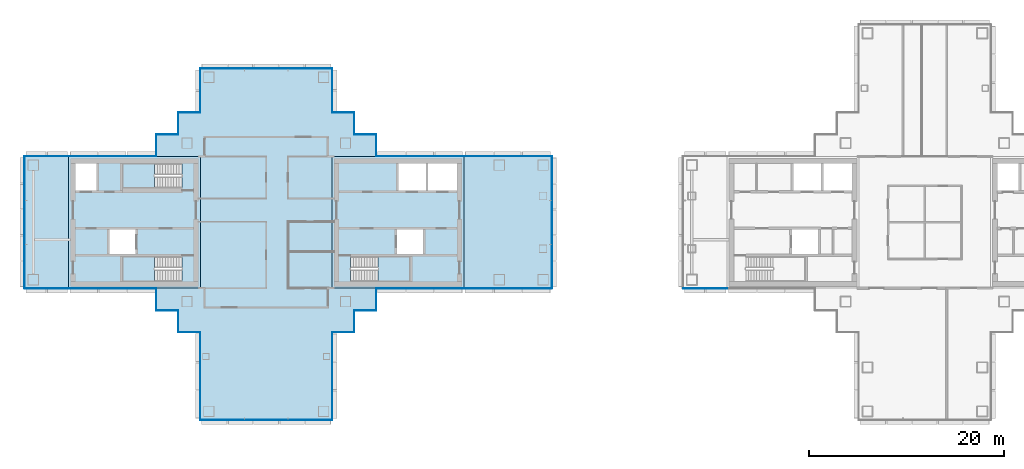
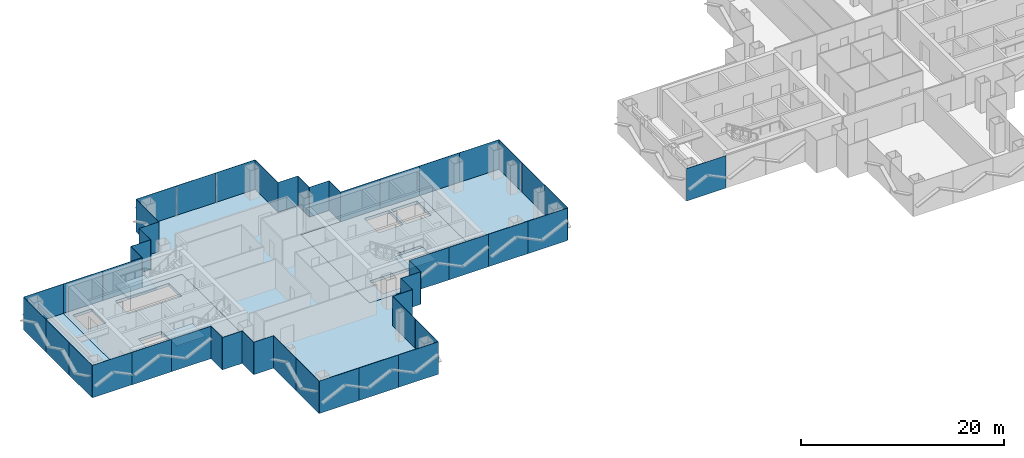
# One storey, part 7 of 16: 49 plates, 8 slabs, 24 elements without a shape of their own.
"""IFC4 building model written with IfcOpenShell, lengths in metres."""

from ifc_helpers import new_model, si_unit, direction, frame, origin, origin_2d, place, context, subcontext, project, spatial, polyline, rectangle, outline, extrude, material, layer, layer_set, type_object, element, aggregate, save


model = new_model("IFC4")

# Units and contexts
model_context = context("Model", 3, precision=1e-05, world=origin(), true_north=direction((0.0, 1.0)))
body_context = subcontext(model_context, "Body", "Model", "MODEL_VIEW")
ifc_project = project(units=[si_unit("LENGTHUNIT", "METRE"), si_unit("AREAUNIT", "SQUARE_METRE"), si_unit("VOLUMEUNIT", "CUBIC_METRE"), si_unit("PLANEANGLEUNIT", "RADIAN"), si_unit("MASSUNIT", "GRAM", prefix="KILO")], contexts=[model_context])

# Site, building, storey
site_placement = place(None, origin())
site = spatial("IfcSite", under=ifc_project, at=site_placement, CompositionType="ELEMENT")
building_placement = place(site_placement, origin())
building = spatial("IfcBuilding", under=site, at=building_placement, Name="Shamsa Quay Exchange Towers", CompositionType="ELEMENT")
storey_placement = place(building_placement, frame((0.0, 0.0, 146.699951171875)))
storey = spatial("IfcBuildingStorey", under=building, at=storey_placement, Name="L34", CompositionType="ELEMENT", Elevation=146.699951171875)

# Slabs
ifc_material_1 = material(Name="Concrete C50/60", Category="concrete")
ifc_layer_1 = layer(ifc_material_1, 0.35009765625)
ifc_layer_set_1 = layer_set([ifc_layer_1], Name="CORE FLOOR 350 C50/60")
slab_type_1 = type_object("IfcSlabType", Name="CORE FLOOR 350 C50/60", PredefinedType="FLOOR", material=ifc_layer_set_1)
slab_1_placement = place(storey_placement, frame((0.0, 0.0, -0.349853515625)))
element("IfcSlab", 1, at=slab_1_placement, inside=storey, type_object=slab_type_1, Name="Core floor T1A", PredefinedType="FLOOR", context=body_context, shape_type="SweptSolid", body=[
    extrude(outline(polyline([(-27.0, -6.75), (-13.5, -6.75), (-13.5, 6.75), (-27.0, 6.75), (-27.0, -6.75)]), holes=[polyline([(-25.099365234375, -6.050048828125), (-25.099365234375, -3.5), (-19.0, -3.5), (-19.0, -6.050048828125), (-25.099365234375, -6.050048828125)]), polyline([(-20.199951171875, 3.25), (-20.199951171875, 6.050048828125), (-17.39990234375, 6.050048828125), (-17.39990234375, 3.25), (-20.199951171875, 3.25)]), polyline([(-17.14990234375, 3.25), (-17.14990234375, 6.050048828125), (-14.199951171875, 6.050048828125), (-14.199951171875, 3.25), (-17.14990234375, 3.25)]), polyline([(-20.35009765625, -3.25), (-20.35009765625, -0.75), (-17.699951171875, -0.75), (-17.699951171875, -3.25), (-20.35009765625, -3.25)])]), origin(), (0.0, 0.0, 1.0), 0.349853515625),
])
slab_2_placement = place(storey_placement, frame((0.0, 0.0, -0.349853515625)))
element("IfcSlab", 2, at=slab_2_placement, inside=storey, type_object=slab_type_1, Name="Core floor T1B", PredefinedType="FLOOR", context=body_context, shape_type="SweptSolid", body=[
    extrude(outline(polyline([(-40.5, -6.75), (-40.5, 6.75), (-54.0, 6.75), (-54.0, -6.75), (-40.5, -6.75)]), holes=[polyline([(-42.400634765625, -3.5), (-42.400634765625, -6.050048828125), (-48.5, -6.050048828125), (-48.5, -3.5), (-42.400634765625, -3.5)]), polyline([(-42.400634765625, 6.050048828125), (-42.400634765625, 3.5), (-48.5, 3.5), (-48.5, 6.050048828125), (-42.400634765625, 6.050048828125)]), polyline([(-51.14990234375, 3.25), (-53.300048828125, 3.25), (-53.300048828125, 6.050048828125), (-51.14990234375, 6.050048828125), (-51.14990234375, 3.25)]), polyline([(-47.14990234375, -3.25), (-49.800048828125, -3.25), (-49.800048828125, -0.75), (-47.14990234375, -0.75), (-47.14990234375, -3.25)])]), origin(), (0.0, 0.0, 1.0), 0.349853515625),
])

# Stair, slab
ifc_material_2 = material(Name="Concrete C40/50", Category="concrete")
stair_type = type_object("IfcStairType", Name="EXIT STAIR 22 RISERS 177 MM", PredefinedType="HALF_TURN_STAIR", material=ifc_material_2)
stair_1_placement = place(storey_placement, origin())
stair_1 = element("IfcStair", 3, at=stair_1_placement, inside=storey, type_object=stair_type, Name="L34 Exit stair ST1", PredefinedType="HALF_TURN_STAIR")
ifc_layer_2 = layer(ifc_material_2, 0.199951171875)
ifc_layer_set_2 = layer_set([ifc_layer_2], Name="CORE STAIR LANDING")
slab_type_2 = type_object("IfcSlabType", Name="CORE STAIR LANDING", PredefinedType="LANDING", material=ifc_layer_set_2)
slab_3_placement = place(storey_placement, frame((0.0, 0.0, 1.75)))
slab_3 = element("IfcSlab", 4, at=slab_3_placement, type_object=slab_type_2, Name="ST1 landing 1", PredefinedType="LANDING", context=body_context, shape_type="SweptSolid", body=[
    extrude(outline(polyline([(-22.300048828125, -6.050048828125), (-19.0, -6.050048828125), (-19.0, -3.5), (-22.300048828125, -3.5), (-22.300048828125, -6.050048828125)])), origin(), (0.0, 0.0, 1.0), 0.199951171875),
])
aggregate(stair_1, [slab_3])

stair_2_placement = place(storey_placement, origin())
stair_2 = element("IfcStair", 5, at=stair_2_placement, inside=storey, type_object=stair_type, Name="L34 Exit stair ST2", PredefinedType="HALF_TURN_STAIR")
slab_4_placement = place(storey_placement, frame((0.0, 0.0, 1.75)))
slab_4 = element("IfcSlab", 6, at=slab_4_placement, type_object=slab_type_2, Name="ST2 landing 1", PredefinedType="LANDING", context=body_context, shape_type="SweptSolid", body=[
    extrude(outline(polyline([(-45.199951171875, -3.5), (-48.5, -3.5), (-48.5, -6.050048828125), (-45.199951171875, -6.050048828125), (-45.199951171875, -3.5)])), origin(), (0.0, 0.0, 1.0), 0.199951171875),
])
aggregate(stair_2, [slab_4])

stair_3_placement = place(storey_placement, origin())
stair_3 = element("IfcStair", 7, at=stair_3_placement, inside=storey, type_object=stair_type, Name="L34 Exit stair ST3", PredefinedType="HALF_TURN_STAIR")
slab_5_placement = place(storey_placement, frame((0.0, 0.0, 1.75)))
slab_5 = element("IfcSlab", 8, at=slab_5_placement, type_object=slab_type_2, Name="ST3 landing 1", PredefinedType="LANDING", context=body_context, shape_type="SweptSolid", body=[
    extrude(outline(polyline([(-45.199951171875, 6.050048828125), (-48.5, 6.050048828125), (-48.5, 3.5), (-45.199951171875, 3.5), (-45.199951171875, 6.050048828125)])), origin(), (0.0, 0.0, 1.0), 0.199951171875),
])
aggregate(stair_3, [slab_5])

# Curtain wall, plates
ifc_material_3 = material(Name="Aluminium EN AW-6063 T6, black anodised", Category="aluminium")
ifc_layer_3 = layer(ifc_material_3, 0.280029296875)
ifc_layer_set_3 = layer_set([ifc_layer_3], Name="CW-1 UNITISED VISION GLASS")
curtain_wall_type_1 = type_object("IfcCurtainWallType", Name="CW-1 UNITISED VISION GLASS", PredefinedType="NOTDEFINED", material=ifc_layer_set_3)
curtain_wall_1_placement = place(storey_placement, origin())
curtain_wall_1 = element("IfcCurtainWall", 9, at=curtain_wall_1_placement, inside=storey, type_object=curtain_wall_type_1, Name="CW1 T1-FLK-V-W L34", PredefinedType="NOTDEFINED")
ifc_material_4 = material(Name="Glass, laminated, dark tinted", Category="glass")
ifc_layer_4 = layer(ifc_material_4, 0.0400390625)
ifc_layer_set_4 = layer_set([ifc_layer_4], Name="CW-1 VISION GLASS 40")
plate_type_1 = type_object("IfcPlateType", Name="CW-1 VISION GLASS 40", PredefinedType="CURTAIN_PANEL", material=ifc_layer_set_4)
plate_1_placement = place(storey_placement, frame((-40.52001953125, -13.52587890625, -0.349853515625), z_axis=(0.0, 0.0, 1.0), x_axis=(0.0, -1.0, 0.0)))
plate_1 = element("IfcPlate", 10, at=plate_1_placement, type_object=plate_type_1, Name="CW1 glass panel", PredefinedType="CURTAIN_PANEL", context=body_context, shape_type="SweptSolid", body=[
    extrude(rectangle(XDim=4.47607421875, YDim=0.0400390625, at=origin_2d()), origin(), (0.0, 0.0, 1.0), 3.89990234375),
])
plate_2_placement = place(storey_placement, frame((-40.52001953125, -18.011962890625, -0.349853515625), z_axis=(0.0, 0.0, 1.0), x_axis=(0.0, -1.0, 0.0)))
plate_2 = element("IfcPlate", 11, at=plate_2_placement, type_object=plate_type_1, Name="CW1 glass panel", PredefinedType="CURTAIN_PANEL", context=body_context, shape_type="SweptSolid", body=[
    extrude(rectangle(XDim=4.47607421875, YDim=0.0400390625, at=origin_2d()), origin(), (0.0, 0.0, 1.0), 3.89990234375),
])
aggregate(curtain_wall_1, [plate_1, plate_2])

curtain_wall_2_placement = place(storey_placement, origin())
curtain_wall_2 = element("IfcCurtainWall", 12, at=curtain_wall_2_placement, inside=storey, type_object=curtain_wall_type_1, Name="CW1 T1-END-V- L34", PredefinedType="NOTDEFINED")
plate_3_placement = place(storey_placement, frame((-38.25244140625, -20.27001953125, -0.349853515625)))
plate_3 = element("IfcPlate", 13, at=plate_3_placement, type_object=plate_type_1, Name="CW1 glass panel", PredefinedType="CURTAIN_PANEL", context=body_context, shape_type="SweptSolid", body=[
    extrude(rectangle(XDim=4.4951171875, YDim=0.0400390625, at=origin_2d()), origin(), (0.0, 0.0, 1.0), 3.89990234375),
])
plate_4_placement = place(storey_placement, frame((-33.75, -20.27001953125, -0.349853515625)))
plate_4 = element("IfcPlate", 14, at=plate_4_placement, type_object=plate_type_1, Name="CW1 glass panel", PredefinedType="CURTAIN_PANEL", context=body_context, shape_type="SweptSolid", body=[
    extrude(rectangle(XDim=4.489990234375, YDim=0.0400390625, at=origin_2d()), origin(), (0.0, 0.0, 1.0), 3.89990234375),
])
plate_5_placement = place(storey_placement, frame((-29.24755859375, -20.27001953125, -0.349853515625)))
plate_5 = element("IfcPlate", 15, at=plate_5_placement, type_object=plate_type_1, Name="CW1 glass panel", PredefinedType="CURTAIN_PANEL", context=body_context, shape_type="SweptSolid", body=[
    extrude(rectangle(XDim=4.4951171875, YDim=0.0400390625, at=origin_2d()), origin(), (0.0, 0.0, 1.0), 3.89990234375),
])
aggregate(curtain_wall_2, [plate_3, plate_4, plate_5])

curtain_wall_3_placement = place(storey_placement, origin())
curtain_wall_3 = element("IfcCurtainWall", 16, at=curtain_wall_3_placement, inside=storey, type_object=curtain_wall_type_1, Name="CW1 T1-FLK-V-E L34", PredefinedType="NOTDEFINED")
plate_6_placement = place(storey_placement, frame((-26.97998046875, -18.00244140625, -0.349853515625), z_axis=(0.0, 0.0, 1.0), x_axis=(0.0, 1.0, 0.0)))
plate_6 = element("IfcPlate", 17, at=plate_6_placement, type_object=plate_type_1, Name="CW1 glass panel", PredefinedType="CURTAIN_PANEL", context=body_context, shape_type="SweptSolid", body=[
    extrude(rectangle(XDim=4.4951171875, YDim=0.0400390625, at=origin_2d()), origin(), (0.0, 0.0, 1.0), 3.89990234375),
])
plate_7_placement = place(storey_placement, frame((-26.97998046875, -13.49755859375, -0.349853515625), z_axis=(0.0, 0.0, 1.0), x_axis=(0.0, 1.0, 0.0)))
plate_7 = element("IfcPlate", 18, at=plate_7_placement, type_object=plate_type_1, Name="CW1 glass panel", PredefinedType="CURTAIN_PANEL", context=body_context, shape_type="SweptSolid", body=[
    extrude(rectangle(XDim=4.4951171875, YDim=0.0400390625, at=origin_2d()), origin(), (0.0, 0.0, 1.0), 3.89990234375),
])
aggregate(curtain_wall_3, [plate_6, plate_7])

curtain_wall_4_placement = place(storey_placement, origin())
curtain_wall_4 = element("IfcCurtainWall", 19, at=curtain_wall_4_placement, inside=storey, type_object=curtain_wall_type_1, Name="CW1 T1-FLK-U+S L34", PredefinedType="NOTDEFINED")
plate_8_placement = place(storey_placement, frame((-11.25244140625, -6.77001953125, -0.349853515625)))
plate_8 = element("IfcPlate", 20, at=plate_8_placement, type_object=plate_type_1, Name="CW1 glass panel", PredefinedType="CURTAIN_PANEL", context=body_context, shape_type="SweptSolid", body=[
    extrude(rectangle(XDim=4.4951171875, YDim=0.0400390625, at=origin_2d()), origin(), (0.0, 0.0, 1.0), 3.89990234375),
])
plate_9_placement = place(storey_placement, frame((-6.74755859375, -6.77001953125, -0.349853515625)))
plate_9 = element("IfcPlate", 21, at=plate_9_placement, type_object=plate_type_1, Name="CW1 glass panel", PredefinedType="CURTAIN_PANEL", context=body_context, shape_type="SweptSolid", body=[
    extrude(rectangle(XDim=4.4951171875, YDim=0.0400390625, at=origin_2d()), origin(), (0.0, 0.0, 1.0), 3.89990234375),
])
aggregate(curtain_wall_4, [plate_8, plate_9])

curtain_wall_5_placement = place(storey_placement, origin())
curtain_wall_5 = element("IfcCurtainWall", 22, at=curtain_wall_5_placement, inside=storey, type_object=curtain_wall_type_1, Name="CW1 T1-END-U+ L34", PredefinedType="NOTDEFINED")
plate_10_placement = place(storey_placement, frame((-4.47998046875, -4.50244140625, -0.349853515625), z_axis=(0.0, 0.0, 1.0), x_axis=(0.0, 1.0, 0.0)))
plate_10 = element("IfcPlate", 23, at=plate_10_placement, type_object=plate_type_1, Name="CW1 glass panel", PredefinedType="CURTAIN_PANEL", context=body_context, shape_type="SweptSolid", body=[
    extrude(rectangle(XDim=4.4951171875, YDim=0.0400390625, at=origin_2d()), origin(), (0.0, 0.0, 1.0), 3.89990234375),
])
plate_11_placement = place(storey_placement, frame((-4.47998046875, 0.0, -0.349853515625), z_axis=(0.0, 0.0, 1.0), x_axis=(0.0, 1.0, 0.0)))
plate_11 = element("IfcPlate", 24, at=plate_11_placement, type_object=plate_type_1, Name="CW1 glass panel", PredefinedType="CURTAIN_PANEL", context=body_context, shape_type="SweptSolid", body=[
    extrude(rectangle(XDim=4.489990234375, YDim=0.0400390625, at=origin_2d()), origin(), (0.0, 0.0, 1.0), 3.89990234375),
])
plate_12_placement = place(storey_placement, frame((-4.47998046875, 4.50244140625, -0.349853515625), z_axis=(0.0, 0.0, 1.0), x_axis=(0.0, 1.0, 0.0)))
plate_12 = element("IfcPlate", 25, at=plate_12_placement, type_object=plate_type_1, Name="CW1 glass panel", PredefinedType="CURTAIN_PANEL", context=body_context, shape_type="SweptSolid", body=[
    extrude(rectangle(XDim=4.4951171875, YDim=0.0400390625, at=origin_2d()), origin(), (0.0, 0.0, 1.0), 3.89990234375),
])
aggregate(curtain_wall_5, [plate_10, plate_11, plate_12])

curtain_wall_6_placement = place(storey_placement, origin())
curtain_wall_6 = element("IfcCurtainWall", 26, at=curtain_wall_6_placement, inside=storey, type_object=curtain_wall_type_1, Name="CW1 T1-FLK-U+N L34", PredefinedType="NOTDEFINED")
plate_13_placement = place(storey_placement, frame((-6.74755859375, 6.77001953125, -0.349853515625), z_axis=(0.0, 0.0, 1.0), x_axis=(-1.0, 0.0, 0.0)))
plate_13 = element("IfcPlate", 27, at=plate_13_placement, type_object=plate_type_1, Name="CW1 glass panel", PredefinedType="CURTAIN_PANEL", context=body_context, shape_type="SweptSolid", body=[
    extrude(rectangle(XDim=4.4951171875, YDim=0.0400390625, at=origin_2d()), origin(), (0.0, 0.0, 1.0), 3.89990234375),
])
plate_14_placement = place(storey_placement, frame((-11.25244140625, 6.77001953125, -0.349853515625), z_axis=(0.0, 0.0, 1.0), x_axis=(-1.0, 0.0, 0.0)))
plate_14 = element("IfcPlate", 28, at=plate_14_placement, type_object=plate_type_1, Name="CW1 glass panel", PredefinedType="CURTAIN_PANEL", context=body_context, shape_type="SweptSolid", body=[
    extrude(rectangle(XDim=4.4951171875, YDim=0.0400390625, at=origin_2d()), origin(), (0.0, 0.0, 1.0), 3.89990234375),
])
aggregate(curtain_wall_6, [plate_13, plate_14])

# Curtain wall, plate
curtain_wall_7_placement = place(storey_placement, origin())
curtain_wall_7 = element("IfcCurtainWall", 29, at=curtain_wall_7_placement, inside=storey, type_object=curtain_wall_type_1, Name="CW1 T1-FLK-V+E L34", PredefinedType="NOTDEFINED")
plate_15_placement = place(storey_placement, frame((-26.97998046875, 13.51904296875, -0.349853515625), z_axis=(0.0, 0.0, 1.0), x_axis=(0.0, 1.0, 0.0)))
plate_15 = element("IfcPlate", 30, at=plate_15_placement, type_object=plate_type_1, Name="CW1 glass panel", PredefinedType="CURTAIN_PANEL", context=body_context, shape_type="SweptSolid", body=[
    extrude(rectangle(XDim=4.4619140625, YDim=0.0400390625, at=origin_2d()), origin(), (0.0, 0.0, 1.0), 3.89990234375),
])
aggregate(curtain_wall_7, [plate_15])

# Curtain wall, plates
curtain_wall_8_placement = place(storey_placement, origin())
curtain_wall_8 = element("IfcCurtainWall", 31, at=curtain_wall_8_placement, inside=storey, type_object=curtain_wall_type_1, Name="CW1 T1-END-V+ L34", PredefinedType="NOTDEFINED")
plate_16_placement = place(storey_placement, frame((-29.24755859375, 15.77001953125, -0.349853515625), z_axis=(0.0, 0.0, 1.0), x_axis=(-1.0, 0.0, 0.0)))
plate_16 = element("IfcPlate", 32, at=plate_16_placement, type_object=plate_type_1, Name="CW1 glass panel", PredefinedType="CURTAIN_PANEL", context=body_context, shape_type="SweptSolid", body=[
    extrude(rectangle(XDim=4.4951171875, YDim=0.0400390625, at=origin_2d()), origin(), (0.0, 0.0, 1.0), 3.89990234375),
])
plate_17_placement = place(storey_placement, frame((-33.75, 15.77001953125, -0.349853515625), z_axis=(0.0, 0.0, 1.0), x_axis=(-1.0, 0.0, 0.0)))
plate_17 = element("IfcPlate", 33, at=plate_17_placement, type_object=plate_type_1, Name="CW1 glass panel", PredefinedType="CURTAIN_PANEL", context=body_context, shape_type="SweptSolid", body=[
    extrude(rectangle(XDim=4.489990234375, YDim=0.0400390625, at=origin_2d()), origin(), (0.0, 0.0, 1.0), 3.89990234375),
])
plate_18_placement = place(storey_placement, frame((-38.25244140625, 15.77001953125, -0.349853515625), z_axis=(0.0, 0.0, 1.0), x_axis=(-1.0, 0.0, 0.0)))
plate_18 = element("IfcPlate", 34, at=plate_18_placement, type_object=plate_type_1, Name="CW1 glass panel", PredefinedType="CURTAIN_PANEL", context=body_context, shape_type="SweptSolid", body=[
    extrude(rectangle(XDim=4.4951171875, YDim=0.0400390625, at=origin_2d()), origin(), (0.0, 0.0, 1.0), 3.89990234375),
])
aggregate(curtain_wall_8, [plate_16, plate_17, plate_18])

# Curtain wall, plate
curtain_wall_9_placement = place(storey_placement, origin())
curtain_wall_9 = element("IfcCurtainWall", 35, at=curtain_wall_9_placement, inside=storey, type_object=curtain_wall_type_1, Name="CW1 T1-FLK-V+W L34", PredefinedType="NOTDEFINED")
plate_19_placement = place(storey_placement, frame((-40.52001953125, 13.5, -0.349853515625), z_axis=(0.0, 0.0, 1.0), x_axis=(0.0, -1.0, 0.0)))
plate_19 = element("IfcPlate", 36, at=plate_19_placement, type_object=plate_type_1, Name="CW1 glass panel", PredefinedType="CURTAIN_PANEL", context=body_context, shape_type="SweptSolid", body=[
    extrude(rectangle(XDim=4.5, YDim=0.0400390625, at=origin_2d()), origin(), (0.0, 0.0, 1.0), 3.89990234375),
])
aggregate(curtain_wall_9, [plate_19])

curtain_wall_10_placement = place(storey_placement, origin())
curtain_wall_10 = element("IfcCurtainWall", 37, at=curtain_wall_10_placement, inside=storey, type_object=curtain_wall_type_1, Name="CW1 T1-FLK-U-N L34", PredefinedType="NOTDEFINED")
plate_20_placement = place(storey_placement, frame((-56.25, 6.77001953125, -0.349853515625), z_axis=(0.0, 0.0, 1.0), x_axis=(-1.0, 0.0, 0.0)))
plate_20 = element("IfcPlate", 38, at=plate_20_placement, type_object=plate_type_1, Name="CW1 glass panel", PredefinedType="CURTAIN_PANEL", context=body_context, shape_type="SweptSolid", body=[
    extrude(rectangle(XDim=4.5, YDim=0.0400390625, at=origin_2d()), origin(), (0.0, 0.0, 1.0), 3.89990234375),
])
aggregate(curtain_wall_10, [plate_20])

# Curtain wall, plates
curtain_wall_11_placement = place(storey_placement, origin())
curtain_wall_11 = element("IfcCurtainWall", 39, at=curtain_wall_11_placement, inside=storey, type_object=curtain_wall_type_1, Name="CW1 T1-END-U- L34", PredefinedType="NOTDEFINED")
plate_21_placement = place(storey_placement, frame((-58.52001953125, 4.50244140625, -0.349853515625), z_axis=(0.0, 0.0, 1.0), x_axis=(0.0, -1.0, 0.0)))
plate_21 = element("IfcPlate", 40, at=plate_21_placement, type_object=plate_type_1, Name="CW1 glass panel", PredefinedType="CURTAIN_PANEL", context=body_context, shape_type="SweptSolid", body=[
    extrude(rectangle(XDim=4.4951171875, YDim=0.0400390625, at=origin_2d()), origin(), (0.0, 0.0, 1.0), 3.89990234375),
])
plate_22_placement = place(storey_placement, frame((-58.52001953125, 0.0, -0.349853515625), z_axis=(0.0, 0.0, 1.0), x_axis=(0.0, -1.0, 0.0)))
plate_22 = element("IfcPlate", 41, at=plate_22_placement, type_object=plate_type_1, Name="CW1 glass panel", PredefinedType="CURTAIN_PANEL", context=body_context, shape_type="SweptSolid", body=[
    extrude(rectangle(XDim=4.489990234375, YDim=0.0400390625, at=origin_2d()), origin(), (0.0, 0.0, 1.0), 3.89990234375),
])
plate_23_placement = place(storey_placement, frame((-58.52001953125, -4.50244140625, -0.349853515625), z_axis=(0.0, 0.0, 1.0), x_axis=(0.0, -1.0, 0.0)))
plate_23 = element("IfcPlate", 42, at=plate_23_placement, type_object=plate_type_1, Name="CW1 glass panel", PredefinedType="CURTAIN_PANEL", context=body_context, shape_type="SweptSolid", body=[
    extrude(rectangle(XDim=4.4951171875, YDim=0.0400390625, at=origin_2d()), origin(), (0.0, 0.0, 1.0), 3.89990234375),
])
aggregate(curtain_wall_11, [plate_21, plate_22, plate_23])

# Curtain wall, plate
curtain_wall_12_placement = place(storey_placement, origin())
curtain_wall_12 = element("IfcCurtainWall", 43, at=curtain_wall_12_placement, inside=storey, type_object=curtain_wall_type_1, Name="CW1 T1-FLK-U-S L34", PredefinedType="NOTDEFINED")
plate_24_placement = place(storey_placement, frame((-56.25, -6.77001953125, -0.349853515625)))
plate_24 = element("IfcPlate", 44, at=plate_24_placement, type_object=plate_type_1, Name="CW1 glass panel", PredefinedType="CURTAIN_PANEL", context=body_context, shape_type="SweptSolid", body=[
    extrude(rectangle(XDim=4.5, YDim=0.0400390625, at=origin_2d()), origin(), (0.0, 0.0, 1.0), 3.89990234375),
])
aggregate(curtain_wall_12, [plate_24])

curtain_wall_13_placement = place(storey_placement, origin())
curtain_wall_13 = element("IfcCurtainWall", 45, at=curtain_wall_13_placement, inside=storey, type_object=curtain_wall_type_1, Name="CW1 T2-FLK-V+W L34", PredefinedType="NOTDEFINED")
plate_25_placement = place(storey_placement, frame((11.25, -6.77001953125, -0.349853515625)))
plate_25 = element("IfcPlate", 46, at=plate_25_placement, type_object=plate_type_1, Name="CW1 glass panel", PredefinedType="CURTAIN_PANEL", context=body_context, shape_type="SweptSolid", body=[
    extrude(rectangle(XDim=4.5, YDim=0.0400390625, at=origin_2d()), origin(), (0.0, 0.0, 1.0), 3.89990234375),
])
aggregate(curtain_wall_13, [plate_25])

# Curtain wall, plates
ifc_layer_5 = layer(ifc_material_3, 0.303955078125)
ifc_layer_set_5 = layer_set([ifc_layer_5], Name="CW-2 UNITISED OPAQUE SPANDREL GLASS")
curtain_wall_type_2 = type_object("IfcCurtainWallType", Name="CW-2 UNITISED OPAQUE SPANDREL GLASS", PredefinedType="NOTDEFINED", material=ifc_layer_set_5)
curtain_wall_14_placement = place(storey_placement, origin())
curtain_wall_14 = element("IfcCurtainWall", 47, at=curtain_wall_14_placement, inside=storey, type_object=curtain_wall_type_2, Name="CW2 T1-FLK-U+S L34", PredefinedType="NOTDEFINED")
ifc_material_5 = material(Name="Glass, laminated, black enamelled opaque", Category="glass")
ifc_layer_6 = layer(ifc_material_5, 0.0439453125)
ifc_layer_set_6 = layer_set([ifc_layer_6], Name="CW-2 SPANDREL GLASS 44")
plate_type_2 = type_object("IfcPlateType", Name="CW-2 SPANDREL GLASS 44", PredefinedType="CURTAIN_PANEL", material=ifc_layer_set_6)
plate_26_placement = place(storey_placement, frame((-20.22412109375, -6.77197265625, -0.349853515625)))
plate_26 = element("IfcPlate", 48, at=plate_26_placement, type_object=plate_type_2, Name="CW2 glass panel", PredefinedType="CURTAIN_PANEL", context=body_context, shape_type="SweptSolid", body=[
    extrude(rectangle(XDim=4.47607421875, YDim=0.0439453125, at=origin_2d()), origin(), (0.0, 0.0, 1.0), 3.89990234375),
])
plate_27_placement = place(storey_placement, frame((-15.738037109375, -6.77197265625, -0.349853515625)))
plate_27 = element("IfcPlate", 49, at=plate_27_placement, type_object=plate_type_2, Name="CW2 glass panel", PredefinedType="CURTAIN_PANEL", context=body_context, shape_type="SweptSolid", body=[
    extrude(rectangle(XDim=4.47607421875, YDim=0.0439453125, at=origin_2d()), origin(), (0.0, 0.0, 1.0), 3.89990234375),
])
aggregate(curtain_wall_14, [plate_26, plate_27])

curtain_wall_15_placement = place(storey_placement, origin())
curtain_wall_15 = element("IfcCurtainWall", 50, at=curtain_wall_15_placement, inside=storey, type_object=curtain_wall_type_2, Name="CW2 T1-FLK-U+N L34", PredefinedType="NOTDEFINED")
plate_28_placement = place(storey_placement, frame((-15.74755859375, 6.77197265625, -0.349853515625), z_axis=(0.0, 0.0, 1.0), x_axis=(-1.0, 0.0, 0.0)))
plate_28 = element("IfcPlate", 51, at=plate_28_placement, type_object=plate_type_2, Name="CW2 glass panel", PredefinedType="CURTAIN_PANEL", context=body_context, shape_type="SweptSolid", body=[
    extrude(rectangle(XDim=4.4951171875, YDim=0.0439453125, at=origin_2d()), origin(), (0.0, 0.0, 1.0), 3.89990234375),
])
plate_29_placement = place(storey_placement, frame((-20.25244140625, 6.77197265625, -0.349853515625), z_axis=(0.0, 0.0, 1.0), x_axis=(-1.0, 0.0, 0.0)))
plate_29 = element("IfcPlate", 52, at=plate_29_placement, type_object=plate_type_2, Name="CW2 glass panel", PredefinedType="CURTAIN_PANEL", context=body_context, shape_type="SweptSolid", body=[
    extrude(rectangle(XDim=4.4951171875, YDim=0.0439453125, at=origin_2d()), origin(), (0.0, 0.0, 1.0), 3.89990234375),
])
aggregate(curtain_wall_15, [plate_28, plate_29])

curtain_wall_16_placement = place(storey_placement, origin())
curtain_wall_16 = element("IfcCurtainWall", 53, at=curtain_wall_16_placement, inside=storey, type_object=curtain_wall_type_2, Name="CW2 T1-FLK-U-N L34", PredefinedType="NOTDEFINED")
plate_30_placement = place(storey_placement, frame((-47.27587890625, 6.77197265625, -0.349853515625), z_axis=(0.0, 0.0, 1.0), x_axis=(-1.0, 0.0, 0.0)))
plate_30 = element("IfcPlate", 54, at=plate_30_placement, type_object=plate_type_2, Name="CW2 glass panel", PredefinedType="CURTAIN_PANEL", context=body_context, shape_type="SweptSolid", body=[
    extrude(rectangle(XDim=4.47607421875, YDim=0.0439453125, at=origin_2d()), origin(), (0.0, 0.0, 1.0), 3.89990234375),
])
plate_31_placement = place(storey_placement, frame((-51.761962890625, 6.77197265625, -0.349853515625), z_axis=(0.0, 0.0, 1.0), x_axis=(-1.0, 0.0, 0.0)))
plate_31 = element("IfcPlate", 55, at=plate_31_placement, type_object=plate_type_2, Name="CW2 glass panel", PredefinedType="CURTAIN_PANEL", context=body_context, shape_type="SweptSolid", body=[
    extrude(rectangle(XDim=4.47607421875, YDim=0.0439453125, at=origin_2d()), origin(), (0.0, 0.0, 1.0), 3.89990234375),
])
aggregate(curtain_wall_16, [plate_30, plate_31])

curtain_wall_17_placement = place(storey_placement, origin())
curtain_wall_17 = element("IfcCurtainWall", 56, at=curtain_wall_17_placement, inside=storey, type_object=curtain_wall_type_2, Name="CW2 T1-FLK-U-S L34", PredefinedType="NOTDEFINED")
plate_32_placement = place(storey_placement, frame((-51.75244140625, -6.77197265625, -0.349853515625)))
plate_32 = element("IfcPlate", 57, at=plate_32_placement, type_object=plate_type_2, Name="CW2 glass panel", PredefinedType="CURTAIN_PANEL", context=body_context, shape_type="SweptSolid", body=[
    extrude(rectangle(XDim=4.4951171875, YDim=0.0439453125, at=origin_2d()), origin(), (0.0, 0.0, 1.0), 3.89990234375),
])
plate_33_placement = place(storey_placement, frame((-47.24755859375, -6.77197265625, -0.349853515625)))
plate_33 = element("IfcPlate", 58, at=plate_33_placement, type_object=plate_type_2, Name="CW2 glass panel", PredefinedType="CURTAIN_PANEL", context=body_context, shape_type="SweptSolid", body=[
    extrude(rectangle(XDim=4.4951171875, YDim=0.0439453125, at=origin_2d()), origin(), (0.0, 0.0, 1.0), 3.89990234375),
])
aggregate(curtain_wall_17, [plate_32, plate_33])

ifc_layer_7 = layer(ifc_material_3, 0.256103515625)
ifc_layer_set_7 = layer_set([ifc_layer_7], Name="CW-4 POCKET SERRATED GLAZING")
curtain_wall_type_3 = type_object("IfcCurtainWallType", Name="CW-4 POCKET SERRATED GLAZING", PredefinedType="NOTDEFINED", material=ifc_layer_set_7)
curtain_wall_18_placement = place(storey_placement, origin())
curtain_wall_18 = element("IfcCurtainWall", 59, at=curtain_wall_18_placement, inside=storey, type_object=curtain_wall_type_3, Name="CW4 PKWS L34", PredefinedType="NOTDEFINED")
ifc_layer_8 = layer(ifc_material_4, 0.035888671875)
ifc_layer_set_8 = layer_set([ifc_layer_8], Name="CW-4 POCKET GLASS 36")
plate_type_3 = type_object("IfcPlateType", Name="CW-4 POCKET GLASS 36", PredefinedType="CURTAIN_PANEL", material=ifc_layer_set_8)
plate_34_placement = place(storey_placement, frame((-42.76806640625, -10.14404296875, -0.349853515625), z_axis=(0.0, 0.0, 1.0), x_axis=(0.0, -1.0, 0.0)))
plate_34 = element("IfcPlate", 60, at=plate_34_placement, type_object=plate_type_3, Name="CW4 glass panel", PredefinedType="CURTAIN_PANEL", context=body_context, shape_type="SweptSolid", body=[
    extrude(rectangle(XDim=2.2119140625, YDim=0.035888671875, at=origin_2d()), origin(), (0.0, 0.0, 1.0), 3.89990234375),
])
plate_35_placement = place(storey_placement, frame((-41.625, -11.26806640625, -0.349853515625)))
plate_35 = element("IfcPlate", 61, at=plate_35_placement, type_object=plate_type_3, Name="CW4 glass panel", PredefinedType="CURTAIN_PANEL", context=body_context, shape_type="SweptSolid", body=[
    extrude(rectangle(XDim=2.25, YDim=0.035888671875, at=origin_2d()), origin(), (0.0, 0.0, 1.0), 3.89990234375),
])
plate_36_placement = place(storey_placement, frame((-45.01806640625, -7.89794921875, -0.349853515625), z_axis=(0.0, 0.0, 1.0), x_axis=(0.0, -1.0, 0.0)))
plate_36 = element("IfcPlate", 62, at=plate_36_placement, type_object=plate_type_3, Name="CW4 glass panel", PredefinedType="CURTAIN_PANEL", context=body_context, shape_type="SweptSolid", body=[
    extrude(rectangle(XDim=2.2041015625, YDim=0.035888671875, at=origin_2d()), origin(), (0.0, 0.0, 1.0), 3.89990234375),
])
plate_37_placement = place(storey_placement, frame((-43.875, -9.01806640625, -0.349853515625)))
plate_37 = element("IfcPlate", 63, at=plate_37_placement, type_object=plate_type_3, Name="CW4 glass panel", PredefinedType="CURTAIN_PANEL", context=body_context, shape_type="SweptSolid", body=[
    extrude(rectangle(XDim=2.25, YDim=0.035888671875, at=origin_2d()), origin(), (0.0, 0.0, 1.0), 3.89990234375),
])
aggregate(curtain_wall_18, [plate_34, plate_35, plate_36, plate_37])

curtain_wall_19_placement = place(storey_placement, origin())
curtain_wall_19 = element("IfcCurtainWall", 64, at=curtain_wall_19_placement, inside=storey, type_object=curtain_wall_type_3, Name="CW4 PKES L34", PredefinedType="NOTDEFINED")
plate_38_placement = place(storey_placement, frame((-25.85400390625, -11.26806640625, -0.349853515625)))
plate_38 = element("IfcPlate", 65, at=plate_38_placement, type_object=plate_type_3, Name="CW4 glass panel", PredefinedType="CURTAIN_PANEL", context=body_context, shape_type="SweptSolid", body=[
    extrude(rectangle(XDim=2.2080078125, YDim=0.035888671875, at=origin_2d()), origin(), (0.0, 0.0, 1.0), 3.89990234375),
])
plate_39_placement = place(storey_placement, frame((-24.73193359375, -10.125, -0.349853515625), z_axis=(0.0, 0.0, 1.0), x_axis=(0.0, 1.0, 0.0)))
plate_39 = element("IfcPlate", 66, at=plate_39_placement, type_object=plate_type_3, Name="CW4 glass panel", PredefinedType="CURTAIN_PANEL", context=body_context, shape_type="SweptSolid", body=[
    extrude(rectangle(XDim=2.25, YDim=0.035888671875, at=origin_2d()), origin(), (0.0, 0.0, 1.0), 3.89990234375),
])
plate_40_placement = place(storey_placement, frame((-23.60595703125, -9.01806640625, -0.349853515625)))
plate_40 = element("IfcPlate", 67, at=plate_40_placement, type_object=plate_type_3, Name="CW4 glass panel", PredefinedType="CURTAIN_PANEL", context=body_context, shape_type="SweptSolid", body=[
    extrude(rectangle(XDim=2.2119140625, YDim=0.035888671875, at=origin_2d()), origin(), (0.0, 0.0, 1.0), 3.89990234375),
])
plate_41_placement = place(storey_placement, frame((-22.48193359375, -7.875, -0.349853515625), z_axis=(0.0, 0.0, 1.0), x_axis=(0.0, 1.0, 0.0)))
plate_41 = element("IfcPlate", 68, at=plate_41_placement, type_object=plate_type_3, Name="CW4 glass panel", PredefinedType="CURTAIN_PANEL", context=body_context, shape_type="SweptSolid", body=[
    extrude(rectangle(XDim=2.25, YDim=0.035888671875, at=origin_2d()), origin(), (0.0, 0.0, 1.0), 3.89990234375),
])
aggregate(curtain_wall_19, [plate_38, plate_39, plate_40, plate_41])

curtain_wall_20_placement = place(storey_placement, origin())
curtain_wall_20 = element("IfcCurtainWall", 69, at=curtain_wall_20_placement, inside=storey, type_object=curtain_wall_type_3, Name="CW4 PKEN L34", PredefinedType="NOTDEFINED")
plate_42_placement = place(storey_placement, frame((-22.48193359375, 7.89794921875, -0.349853515625), z_axis=(0.0, 0.0, 1.0), x_axis=(0.0, 1.0, 0.0)))
plate_42 = element("IfcPlate", 70, at=plate_42_placement, type_object=plate_type_3, Name="CW4 glass panel", PredefinedType="CURTAIN_PANEL", context=body_context, shape_type="SweptSolid", body=[
    extrude(rectangle(XDim=2.2041015625, YDim=0.035888671875, at=origin_2d()), origin(), (0.0, 0.0, 1.0), 3.89990234375),
])
plate_43_placement = place(storey_placement, frame((-23.625, 9.01806640625, -0.349853515625), z_axis=(0.0, 0.0, 1.0), x_axis=(-1.0, 0.0, 0.0)))
plate_43 = element("IfcPlate", 71, at=plate_43_placement, type_object=plate_type_3, Name="CW4 glass panel", PredefinedType="CURTAIN_PANEL", context=body_context, shape_type="SweptSolid", body=[
    extrude(rectangle(XDim=2.25, YDim=0.035888671875, at=origin_2d()), origin(), (0.0, 0.0, 1.0), 3.89990234375),
])
plate_44_placement = place(storey_placement, frame((-24.73193359375, 10.14404296875, -0.349853515625), z_axis=(0.0, 0.0, 1.0), x_axis=(0.0, 1.0, 0.0)))
plate_44 = element("IfcPlate", 72, at=plate_44_placement, type_object=plate_type_3, Name="CW4 glass panel", PredefinedType="CURTAIN_PANEL", context=body_context, shape_type="SweptSolid", body=[
    extrude(rectangle(XDim=2.2119140625, YDim=0.035888671875, at=origin_2d()), origin(), (0.0, 0.0, 1.0), 3.89990234375),
])
plate_45_placement = place(storey_placement, frame((-25.875, 11.26806640625, -0.349853515625), z_axis=(0.0, 0.0, 1.0), x_axis=(-1.0, 0.0, 0.0)))
plate_45 = element("IfcPlate", 73, at=plate_45_placement, type_object=plate_type_3, Name="CW4 glass panel", PredefinedType="CURTAIN_PANEL", context=body_context, shape_type="SweptSolid", body=[
    extrude(rectangle(XDim=2.25, YDim=0.035888671875, at=origin_2d()), origin(), (0.0, 0.0, 1.0), 3.89990234375),
])
aggregate(curtain_wall_20, [plate_42, plate_43, plate_44, plate_45])

curtain_wall_21_placement = place(storey_placement, origin())
curtain_wall_21 = element("IfcCurtainWall", 74, at=curtain_wall_21_placement, inside=storey, type_object=curtain_wall_type_3, Name="CW4 PKWN L34", PredefinedType="NOTDEFINED")
plate_46_placement = place(storey_placement, frame((-41.64599609375, 11.26806640625, -0.349853515625), z_axis=(0.0, 0.0, 1.0), x_axis=(-1.0, 0.0, 0.0)))
plate_46 = element("IfcPlate", 75, at=plate_46_placement, type_object=plate_type_3, Name="CW4 glass panel", PredefinedType="CURTAIN_PANEL", context=body_context, shape_type="SweptSolid", body=[
    extrude(rectangle(XDim=2.2080078125, YDim=0.035888671875, at=origin_2d()), origin(), (0.0, 0.0, 1.0), 3.89990234375),
])
plate_47_placement = place(storey_placement, frame((-42.76806640625, 10.125, -0.349853515625), z_axis=(0.0, 0.0, 1.0), x_axis=(0.0, -1.0, 0.0)))
plate_47 = element("IfcPlate", 76, at=plate_47_placement, type_object=plate_type_3, Name="CW4 glass panel", PredefinedType="CURTAIN_PANEL", context=body_context, shape_type="SweptSolid", body=[
    extrude(rectangle(XDim=2.25, YDim=0.035888671875, at=origin_2d()), origin(), (0.0, 0.0, 1.0), 3.89990234375),
])
plate_48_placement = place(storey_placement, frame((-43.89404296875, 9.01806640625, -0.349853515625), z_axis=(0.0, 0.0, 1.0), x_axis=(-1.0, 0.0, 0.0)))
plate_48 = element("IfcPlate", 77, at=plate_48_placement, type_object=plate_type_3, Name="CW4 glass panel", PredefinedType="CURTAIN_PANEL", context=body_context, shape_type="SweptSolid", body=[
    extrude(rectangle(XDim=2.2119140625, YDim=0.035888671875, at=origin_2d()), origin(), (0.0, 0.0, 1.0), 3.89990234375),
])
plate_49_placement = place(storey_placement, frame((-45.01806640625, 7.875, -0.349853515625), z_axis=(0.0, 0.0, 1.0), x_axis=(0.0, -1.0, 0.0)))
plate_49 = element("IfcPlate", 78, at=plate_49_placement, type_object=plate_type_3, Name="CW4 glass panel", PredefinedType="CURTAIN_PANEL", context=body_context, shape_type="SweptSolid", body=[
    extrude(rectangle(XDim=2.25, YDim=0.035888671875, at=origin_2d()), origin(), (0.0, 0.0, 1.0), 3.89990234375),
])
aggregate(curtain_wall_21, [plate_46, plate_47, plate_48, plate_49])

# Slabs
ifc_layer_9 = layer(ifc_material_2, 0.35009765625)
ifc_layer_set_9 = layer_set([ifc_layer_9], Name="Flat slab 350")
slab_type_3 = type_object("IfcSlabType", Name="Flat slab 350", PredefinedType="FLOOR", material=ifc_layer_set_9)
slab_6_placement = place(storey_placement, frame((0.0, 0.0, -0.349853515625)))
element("IfcSlab", 79, at=slab_6_placement, inside=storey, type_object=slab_type_3, Name="Flat slab T1 L34 1", PredefinedType="FLOOR", context=body_context, shape_type="SweptSolid", body=[
    extrude(outline(polyline([(-58.5, -6.75), (-54.0, -6.75), (-54.0, 6.75), (-58.5, 6.75), (-58.5, -6.75)])), origin(), (0.0, 0.0, 1.0), 0.349853515625),
])
slab_7_placement = place(storey_placement, frame((0.0, 0.0, -0.349853515625)))
element("IfcSlab", 80, at=slab_7_placement, inside=storey, type_object=slab_type_3, Name="Flat slab T1 L34 2", PredefinedType="FLOOR", context=body_context, shape_type="SweptSolid", body=[
    extrude(outline(polyline([(-22.5, -9.0), (-22.5, -6.75), (-27.0, -6.75), (-27.0, 6.75), (-22.5, 6.75), (-22.5, 9.0), (-24.75, 9.0), (-24.75, 11.25), (-27.0, 11.25), (-27.0, 15.75), (-40.5, 15.75), (-40.5, 11.25), (-42.75, 11.25), (-42.75, 9.0), (-45.0, 9.0), (-45.0, 6.75), (-40.5, 6.75), (-40.5, -6.75), (-45.0, -6.75), (-45.0, -9.0), (-42.75, -9.0), (-42.75, -11.25), (-40.5, -11.25), (-40.5, -20.25), (-27.0, -20.25), (-27.0, -11.25), (-24.75, -11.25), (-24.75, -9.0), (-22.5, -9.0)])), origin(), (0.0, 0.0, 1.0), 0.349853515625),
])
slab_8_placement = place(storey_placement, frame((0.0, 0.0, -0.349853515625)))
element("IfcSlab", 81, at=slab_8_placement, inside=storey, type_object=slab_type_3, Name="Flat slab T1 L34 3", PredefinedType="FLOOR", context=body_context, shape_type="SweptSolid", body=[
    extrude(outline(polyline([(-4.5, 6.75), (-13.5, 6.75), (-13.5, -6.75), (-4.5, -6.75), (-4.5, 6.75)])), origin(), (0.0, 0.0, 1.0), 0.349853515625),
])

save(model, "model.ifc")
